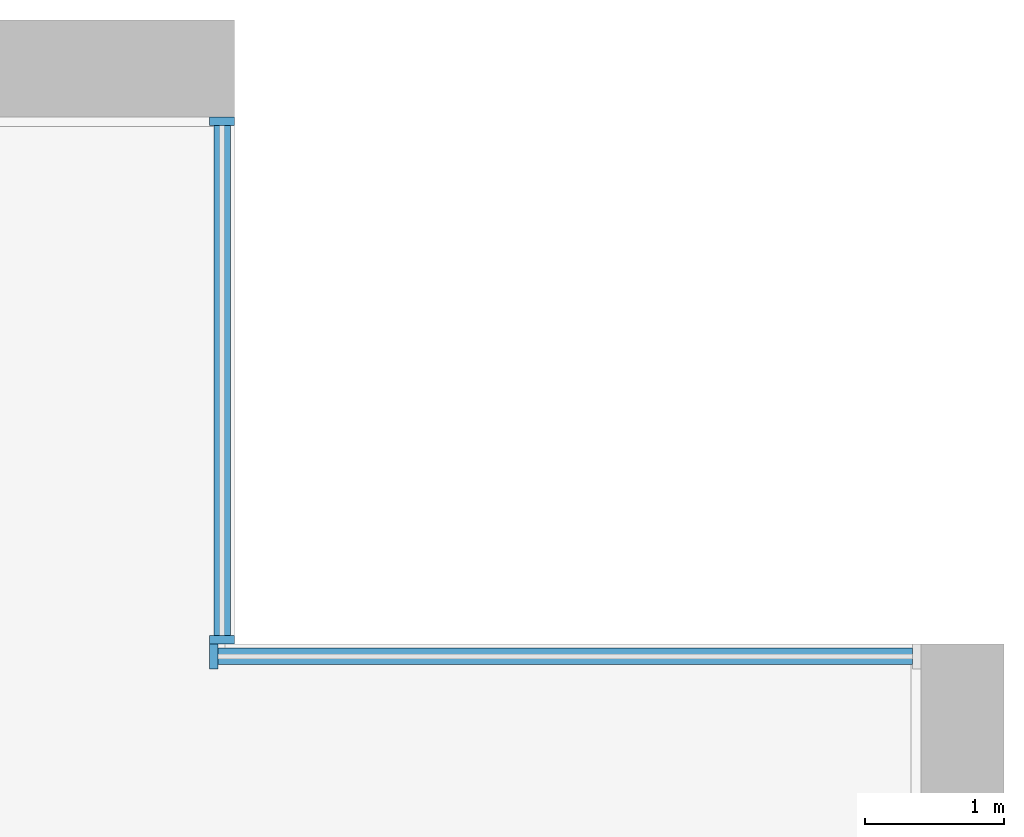
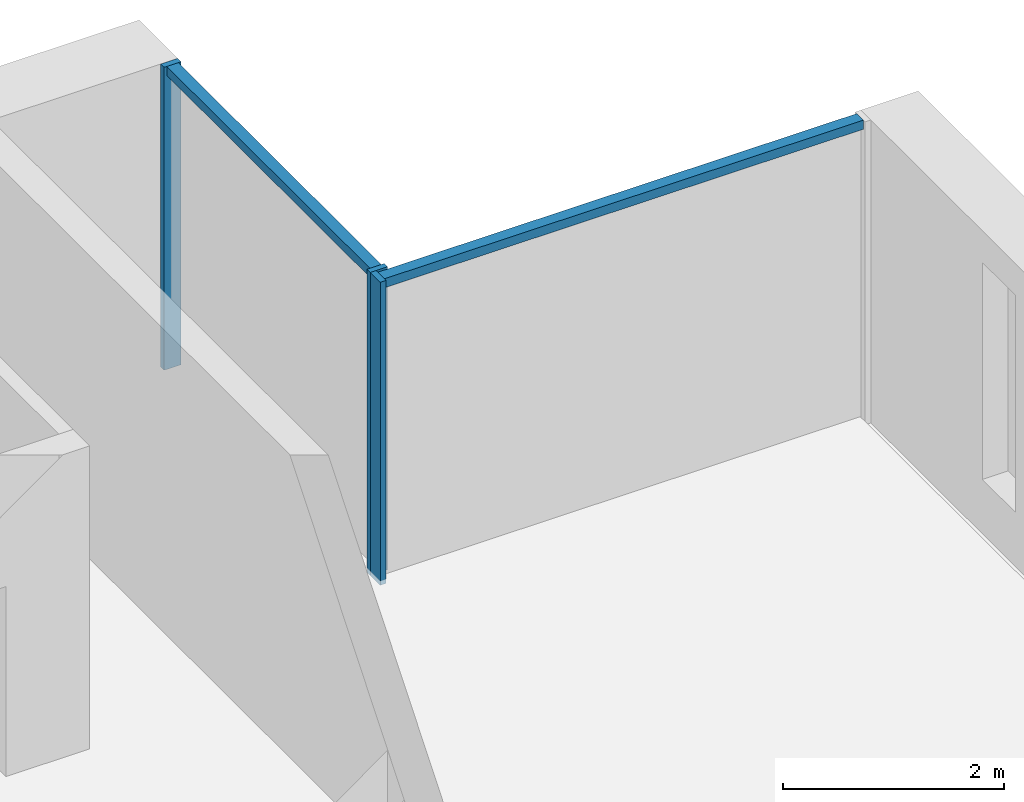
# One storey, part 5 of 17: 5 members, 2 elements without a shape of their own.
"""IFC4 building model written with IfcOpenShell, lengths in metres."""

from ifc_helpers import new_model, si_unit, direction, frame, origin, origin_2d, place, context, subcontext, project, spatial, rectangle, extrude, material, material_profile, profile_set, type_object, element, aggregate, save


model = new_model("IFC4")

# Units and contexts
model_context = context("Model", 3, precision=1e-05, world=origin(), true_north=direction((0.0, 1.0)))
body_context = subcontext(model_context, "Body", "Model", "MODEL_VIEW")
ifc_project = project(units=[si_unit("LENGTHUNIT", "METRE"), si_unit("AREAUNIT", "SQUARE_METRE"), si_unit("VOLUMEUNIT", "CUBIC_METRE"), si_unit("PLANEANGLEUNIT", "RADIAN"), si_unit("MASSUNIT", "GRAM", prefix="KILO")], contexts=[model_context])

# Site, building, storey
site_placement = place(None, origin())
site = spatial("IfcSite", under=ifc_project, at=site_placement, CompositionType="ELEMENT")
building_placement = place(site_placement, origin())
building = spatial("IfcBuilding", under=site, at=building_placement, Name="Calvaro Tower", CompositionType="ELEMENT")
storey_placement = place(building_placement, frame((0.0, 0.0, 219.25)))
storey = spatial("IfcBuildingStorey", under=building, at=storey_placement, Name="L55", CompositionType="ELEMENT", Elevation=219.25)

# Curtain wall, members
ifc_material_1 = material(Name="Anodised aluminium", Category="aluminium")
curtain_wall_type = type_object("IfcCurtainWallType", Name="Office curtain wall, upper zone", PredefinedType="NOTDEFINED", material=ifc_material_1)
curtain_wall_1_placement = place(storey_placement, origin())
curtain_wall_1 = element("IfcCurtainWall", 1, at=curtain_wall_1_placement, inside=storey, type_object=curtain_wall_type, Name="CW3 corner curtain wall", PredefinedType="NOTDEFINED")
ifc_material_2 = material(Name="Anodised aluminium", Category="aluminium")
ifc_material_profile_1 = material_profile(ifc_material_2, rectangle(XDim=0.179931640625, YDim=0.06005859375, at=origin_2d()), Name="Mullion S3 60 x 180")
ifc_profile_set_1 = profile_set([ifc_material_profile_1], Name="Anodised aluminium")
member_type_1 = type_object("IfcMemberType", Name="Mullion S3 60 x 180", PredefinedType="MULLION", material=ifc_profile_set_1)
member_1_placement = place(storey_placement, frame((66.360107421875, 41.530029296875, 0.0), z_axis=(0.0, 0.0, 1.0), x_axis=(-1.0, 0.0, 0.0)))
member_1 = element("IfcMember", 2, at=member_1_placement, type_object=member_type_1, Name="CW3 mullion 1", PredefinedType="MULLION", context=body_context, shape_type="SweptSolid", body=[
    extrude(rectangle(XDim=0.179931640625, YDim=0.06005859375, at=origin_2d()), origin(), (0.0, 0.0, 1.0), 3.35009765625),
])
member_2_placement = place(storey_placement, frame((66.360107421875, 45.27001953125, 0.0), z_axis=(0.0, 0.0, 1.0), x_axis=(-1.0, 0.0, 0.0)))
member_2 = element("IfcMember", 3, at=member_2_placement, type_object=member_type_1, Name="CW3 mullion 2", PredefinedType="MULLION", context=body_context, shape_type="SweptSolid", body=[
    extrude(rectangle(XDim=0.179931640625, YDim=0.06005859375, at=origin_2d()), origin(), (0.0, 0.0, 1.0), 3.35009765625),
])

# Curtain wall, member
curtain_wall_2_placement = place(storey_placement, origin())
curtain_wall_2 = element("IfcCurtainWall", 4, at=curtain_wall_2_placement, inside=storey, type_object=curtain_wall_type, Name="CW3 corner curtain wall", PredefinedType="NOTDEFINED")
member_3_placement = place(storey_placement, frame((66.300048828125, 41.409912109375, 0.0), z_axis=(0.0, 0.0, 1.0), x_axis=(0.0, 1.0, 0.0)))
member_3 = element("IfcMember", 5, at=member_3_placement, type_object=member_type_1, Name="CW3 mullion 1", PredefinedType="MULLION", context=body_context, shape_type="SweptSolid", body=[
    extrude(rectangle(XDim=0.179931640625, YDim=0.06005859375, at=origin_2d()), origin(), (0.0, 0.0, 1.0), 3.35009765625),
])

# Member
ifc_material_3 = material(Name="Anodised aluminium", Category="aluminium")
ifc_material_profile_2 = material_profile(ifc_material_3, rectangle(XDim=0.1201171875, YDim=0.10009765625, at=origin_2d()), Name="Transom S3 100 x 120")
ifc_profile_set_2 = profile_set([ifc_material_profile_2], Name="Anodised aluminium")
member_type_2 = type_object("IfcMemberType", Name="Transom S3 100 x 120", PredefinedType="USERDEFINED", material=ifc_profile_set_2)
member_4_placement = place(storey_placement, frame((66.360107421875, 41.56005859375, 3.300048828125), z_axis=(0.0, 1.0, 0.0), x_axis=(-1.0, 0.0, 0.0)))
member_4 = element("IfcMember", 6, at=member_4_placement, type_object=member_type_2, Name="CW3 transom 1.1", ObjectType="TRANSOM", PredefinedType="USERDEFINED", context=body_context, shape_type="SweptSolid", body=[
    extrude(rectangle(XDim=0.1201171875, YDim=0.10009765625, at=origin_2d()), origin(), (0.0, 0.0, 1.0), 3.679931640625),
])

aggregate(curtain_wall_1, [member_1, member_2, member_4])

member_5_placement = place(storey_placement, frame((66.330078125, 41.409912109375, 3.300048828125), z_axis=(1.0, 0.0, 0.0), x_axis=(0.0, 1.0, 0.0)))
member_5 = element("IfcMember", 7, at=member_5_placement, type_object=member_type_2, Name="CW3 transom 1.1", ObjectType="TRANSOM", PredefinedType="USERDEFINED", context=body_context, shape_type="SweptSolid", body=[
    extrude(rectangle(XDim=0.1201171875, YDim=0.10009765625, at=origin_2d()), origin(), (0.0, 0.0, 1.0), 5.010009765625),
])

aggregate(curtain_wall_2, [member_3, member_5])

save(model, "model.ifc")
